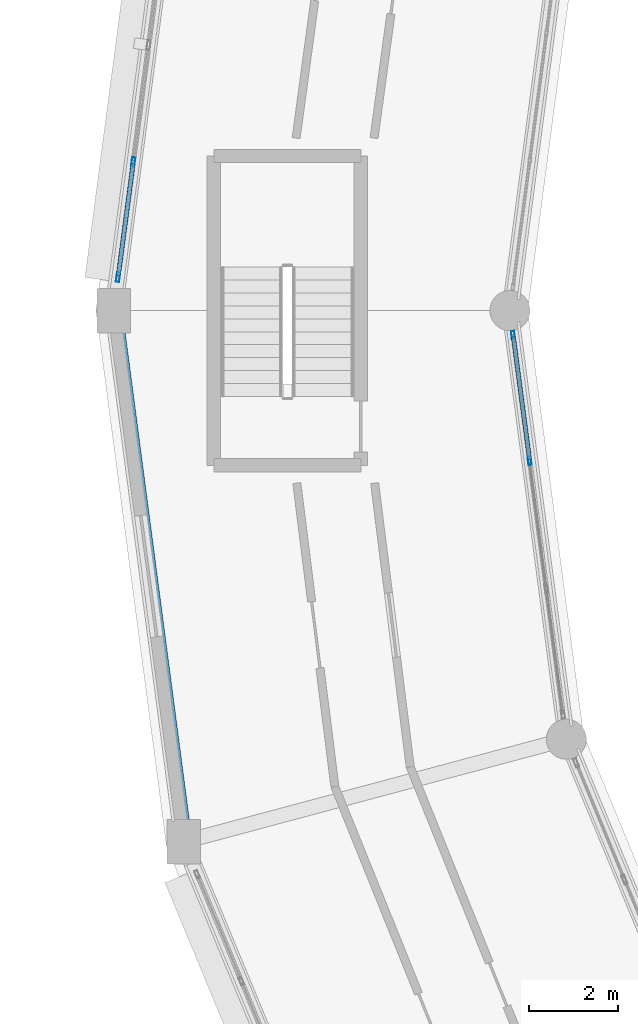
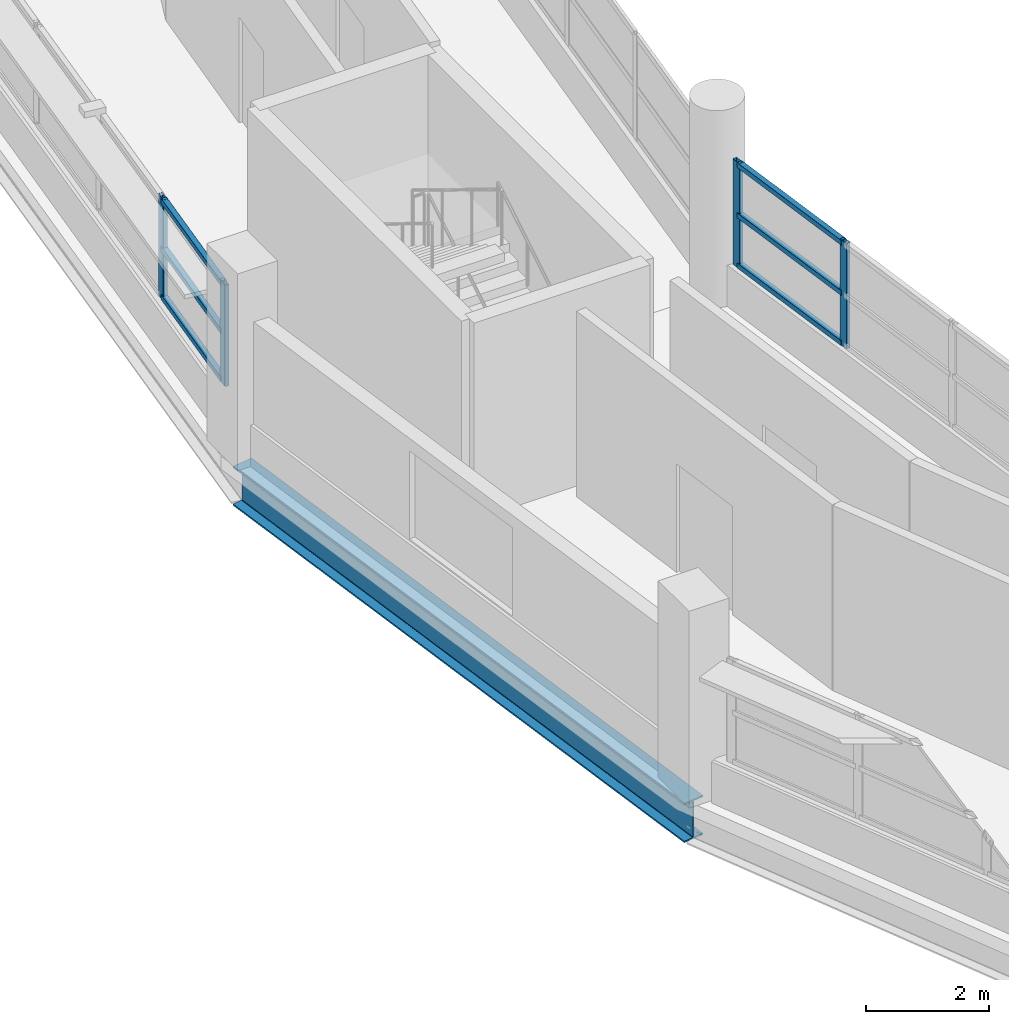
# One storey, part 12 of 53: 10 members, 1 beam, 2 elements without a shape of their own.
"""IFC4 building model written with IfcOpenShell, lengths in metres."""

from ifc_helpers import new_model, si_unit, direction, frame, origin, origin_2d, place, context, subcontext, project, spatial, hollow_rectangle, i_section, extrude, material, layer, layer_set, material_profile, profile_set, type_object, element, aggregate, save


model = new_model("IFC4")

# Units and contexts
model_context = context("Model", 3, precision=1e-05, world=origin(), true_north=direction((0.0, 1.0)))
body_context = subcontext(model_context, "Body", "Model", "MODEL_VIEW")
ifc_project = project(units=[si_unit("LENGTHUNIT", "METRE"), si_unit("AREAUNIT", "SQUARE_METRE"), si_unit("VOLUMEUNIT", "CUBIC_METRE"), si_unit("PLANEANGLEUNIT", "RADIAN"), si_unit("MASSUNIT", "GRAM", prefix="KILO")], contexts=[model_context])

# Site, building, storey
site_placement = place(None, origin())
site = spatial("IfcSite", under=ifc_project, at=site_placement, CompositionType="ELEMENT")
building_placement = place(site_placement, origin())
building = spatial("IfcBuilding", under=site, at=building_placement, Name="Vespera Passage Community Centre", CompositionType="ELEMENT")
storey_placement = place(building_placement, frame((0.0, 0.0, 20.39990234375)))
storey = spatial("IfcBuildingStorey", under=building, at=storey_placement, Name="L05", CompositionType="ELEMENT", Elevation=20.39990234375)

# Beam
ifc_material_1 = material(Name="Steel ASTM A992 Grade 50", Category="steel")
ifc_material_profile_1 = material_profile(ifc_material_1, i_section(OverallWidth=0.382080078125, OverallDepth=0.779296875, WebThickness=0.01806640625, FlangeThickness=0.030029296875, FilletRadius=0.0166015625, at=origin_2d()), Name="W30X191")
ifc_profile_set_1 = profile_set([ifc_material_profile_1], Name="Steel ASTM A992 Grade 50")
beam_type = type_object("IfcBeamType", Name="BM-SP-W30X191E", PredefinedType="SPANDREL", material=ifc_profile_set_1)
beam_placement = place(storey_placement, frame((31.89990234375, 65.5, -0.649658203125), z_axis=(0.130523782115, -0.991445178667, 0.0), x_axis=(0.991445178667, 0.130523782115, 0.0)))
element("IfcBeam", 1, at=beam_placement, inside=storey, type_object=beam_type, Name="V4 L05 Outer Spandrel 12", PredefinedType="SPANDREL", context=body_context, shape_type="SweptSolid", body=[
    extrude(i_section(OverallWidth=0.382080078125, OverallDepth=0.779296875, WebThickness=0.01806640625, FlangeThickness=0.030029296875, FilletRadius=0.0166015625, at=origin_2d()), origin(), (0.0, 0.0, 1.0), 12.03466796875),
])

# Curtain wall, members
ifc_material_2 = material(Name="Anodized aluminium 6063-T6", Category="aluminium")
ifc_layer_1 = layer(ifc_material_2, 0.159912109375)
ifc_layer_set_1 = layer_set([ifc_layer_1], Name="Anodized aluminium 6063-T6")
curtain_wall_type_1 = type_object("IfcCurtainWallType", Name="CW-64E", PredefinedType="NOTDEFINED", material=ifc_layer_set_1)
curtain_wall_1_placement = place(storey_placement, origin())
curtain_wall_1 = element("IfcCurtainWall", 2, at=curtain_wall_1_placement, inside=storey, type_object=curtain_wall_type_1, Name="V4 L05 Inner Court Curtain Wall 12", PredefinedType="NOTDEFINED")
ifc_material_3 = material(Name="Anodized aluminium 6063-T6", Category="aluminium")
ifc_material_profile_2 = material_profile(ifc_material_3, hollow_rectangle(XDim=0.074951171875, YDim=0.179931640625, WallThickness=0.0048828125, InnerFilletRadius=0.00244140625, OuterFilletRadius=0.0048828125, at=origin_2d()), Name="ALU180X75X5")
ifc_profile_set_2 = profile_set([ifc_material_profile_2], Name="Anodized aluminium 6063-T6")
member_type_1 = type_object("IfcMemberType", Name="MB-CWM-180E", PredefinedType="MULLION", material=ifc_profile_set_2)
member_1_placement = place(storey_placement, frame((40.87255859375, 64.94970703125, 0.820068359375), z_axis=(0.0, 0.0, 1.0), x_axis=(0.991445387728, 0.1305221941, 0.0)))
member_1 = element("IfcMember", 3, at=member_1_placement, type_object=member_type_1, Name="CW-64E mullion 1", PredefinedType="MULLION", context=body_context, shape_type="SweptSolid", body=[
    extrude(hollow_rectangle(XDim=0.074951171875, YDim=0.179931640625, WallThickness=0.0048828125, InnerFilletRadius=0.00244140625, OuterFilletRadius=0.0048828125, at=origin_2d()), origin(), (0.0, 0.0, 1.0), 2.08935546875),
])
member_2_placement = place(storey_placement, frame((41.2451171875, 62.11962890625, 0.820068359375), z_axis=(0.0, 0.0, 1.0), x_axis=(0.991445387728, 0.1305221941, 0.0)))
member_2 = element("IfcMember", 4, at=member_2_placement, type_object=member_type_1, Name="CW-64E mullion 2", PredefinedType="MULLION", context=body_context, shape_type="SweptSolid", body=[
    extrude(hollow_rectangle(XDim=0.074951171875, YDim=0.179931640625, WallThickness=0.0048828125, InnerFilletRadius=0.00244140625, OuterFilletRadius=0.0048828125, at=origin_2d()), origin(), (0.0, 0.0, 1.0), 2.08935546875),
])

ifc_material_4 = material(Name="Anodized aluminium 6063-T6", Category="aluminium")
ifc_layer_2 = layer(ifc_material_4, 0.159912109375)
ifc_layer_set_2 = layer_set([ifc_layer_2], Name="Anodized aluminium 6063-T6")
curtain_wall_type_2 = type_object("IfcCurtainWallType", Name="CW-63E", PredefinedType="NOTDEFINED", material=ifc_layer_set_2)
curtain_wall_2_placement = place(storey_placement, origin())
curtain_wall_2 = element("IfcCurtainWall", 5, at=curtain_wall_2_placement, inside=storey, type_object=curtain_wall_type_2, Name="V4 L05 Outer Ribbon Curtain Wall 11", PredefinedType="NOTDEFINED")
ifc_material_5 = material(Name="Anodized aluminium 6063-T6", Category="aluminium")
ifc_material_profile_3 = material_profile(ifc_material_5, hollow_rectangle(XDim=0.074951171875, YDim=0.2099609375, WallThickness=0.0048828125, InnerFilletRadius=0.00244140625, OuterFilletRadius=0.0048828125, at=origin_2d()), Name="ALU210X75X5")
ifc_profile_set_3 = profile_set([ifc_material_profile_3], Name="Anodized aluminium 6063-T6")
member_type_2 = type_object("IfcMemberType", Name="MB-CWM-210E", PredefinedType="MULLION", material=ifc_profile_set_3)
member_3_placement = place(storey_placement, frame((31.998779296875, 66.25048828125, 0.820068359375), z_axis=(0.0, 0.0, 1.0), x_axis=(-0.991445298818, 0.130522869458, 0.0)))
member_3 = element("IfcMember", 6, at=member_3_placement, type_object=member_type_2, Name="CW-63E mullion 1", PredefinedType="MULLION", context=body_context, shape_type="SweptSolid", body=[
    extrude(hollow_rectangle(XDim=0.074951171875, YDim=0.2099609375, WallThickness=0.0048828125, InnerFilletRadius=0.00244140625, OuterFilletRadius=0.0048828125, at=origin_2d()), origin(), (0.0, 0.0, 1.0), 2.005615234375),
])
member_4_placement = place(storey_placement, frame((32.339599609375, 68.839599609375, 0.820068359375), z_axis=(0.0, 0.0, 1.0), x_axis=(-0.991445298818, 0.130522869458, 0.0)))
member_4 = element("IfcMember", 7, at=member_4_placement, type_object=member_type_2, Name="CW-63E mullion 2", PredefinedType="MULLION", context=body_context, shape_type="SweptSolid", body=[
    extrude(hollow_rectangle(XDim=0.074951171875, YDim=0.2099609375, WallThickness=0.0048828125, InnerFilletRadius=0.00244140625, OuterFilletRadius=0.0048828125, at=origin_2d()), origin(), (0.0, 0.0, 1.0), 2.005615234375),
])
ifc_material_6 = material(Name="Anodized aluminium 6063-T6", Category="aluminium")
ifc_material_profile_4 = material_profile(ifc_material_6, hollow_rectangle(XDim=0.10009765625, YDim=0.10009765625, WallThickness=0.00390625, InnerFilletRadius=0.001953125, OuterFilletRadius=0.00390625, at=origin_2d()), Name="ALU100X100X4")
ifc_profile_set_4 = profile_set([ifc_material_profile_4], Name="Anodized aluminium 6063-T6")
member_type_3 = type_object("IfcMemberType", Name="MB-CWT-100E", PredefinedType="USERDEFINED", material=ifc_profile_set_4)
member_5_placement = place(storey_placement, frame((32.003662109375, 66.28759765625, 0.8701171875), z_axis=(0.130524231271, 0.991445119536, 0.0), x_axis=(-0.991445119536, 0.130524231271, 0.0)))
member_5 = element("IfcMember", 8, at=member_5_placement, type_object=member_type_3, Name="CW-63E transom 1.1", ObjectType="TRANSOM", PredefinedType="USERDEFINED", context=body_context, shape_type="SweptSolid", body=[
    extrude(hollow_rectangle(XDim=0.10009765625, YDim=0.10009765625, WallThickness=0.00390625, InnerFilletRadius=0.001953125, OuterFilletRadius=0.00390625, at=origin_2d()), origin(), (0.0, 0.0, 1.0), 2.536376953125),
])
member_6_placement = place(storey_placement, frame((32.003662109375, 66.28759765625, 1.822998046875), z_axis=(0.130524231271, 0.991445119536, 0.0), x_axis=(-0.991445119536, 0.130524231271, 0.0)))
member_6 = element("IfcMember", 9, at=member_6_placement, type_object=member_type_3, Name="CW-63E transom 1.2", ObjectType="TRANSOM", PredefinedType="USERDEFINED", context=body_context, shape_type="SweptSolid", body=[
    extrude(hollow_rectangle(XDim=0.10009765625, YDim=0.10009765625, WallThickness=0.00390625, InnerFilletRadius=0.001953125, OuterFilletRadius=0.00390625, at=origin_2d()), origin(), (0.0, 0.0, 1.0), 2.536376953125),
])
member_7_placement = place(storey_placement, frame((32.003662109375, 66.28759765625, 2.77587890625), z_axis=(0.130524231271, 0.991445119536, 0.0), x_axis=(-0.991445119536, 0.130524231271, 0.0)))
member_7 = element("IfcMember", 10, at=member_7_placement, type_object=member_type_3, Name="CW-63E transom 1.3", ObjectType="TRANSOM", PredefinedType="USERDEFINED", context=body_context, shape_type="SweptSolid", body=[
    extrude(hollow_rectangle(XDim=0.10009765625, YDim=0.10009765625, WallThickness=0.00390625, InnerFilletRadius=0.001953125, OuterFilletRadius=0.00390625, at=origin_2d()), origin(), (0.0, 0.0, 1.0), 2.536376953125),
])
aggregate(curtain_wall_2, [member_3, member_4, member_5, member_6, member_7])

# Member
member_8_placement = place(storey_placement, frame((40.87744140625, 64.912353515625, 0.8701171875), z_axis=(0.130529495678, -0.99144442646, 0.0), x_axis=(0.99144442646, 0.130529495678, 0.0)))
member_8 = element("IfcMember", 11, at=member_8_placement, type_object=member_type_3, Name="CW-64E transom 1.1", ObjectType="TRANSOM", PredefinedType="USERDEFINED", context=body_context, shape_type="SweptSolid", body=[
    extrude(hollow_rectangle(XDim=0.10009765625, YDim=0.10009765625, WallThickness=0.00390625, InnerFilletRadius=0.001953125, OuterFilletRadius=0.00390625, at=origin_2d()), origin(), (0.0, 0.0, 1.0), 2.779296875),
])

member_9_placement = place(storey_placement, frame((40.87744140625, 64.912353515625, 1.86474609375), z_axis=(0.130529495678, -0.99144442646, 0.0), x_axis=(0.99144442646, 0.130529495678, 0.0)))
member_9 = element("IfcMember", 12, at=member_9_placement, type_object=member_type_3, Name="CW-64E transom 1.2", ObjectType="TRANSOM", PredefinedType="USERDEFINED", context=body_context, shape_type="SweptSolid", body=[
    extrude(hollow_rectangle(XDim=0.10009765625, YDim=0.10009765625, WallThickness=0.00390625, InnerFilletRadius=0.001953125, OuterFilletRadius=0.00390625, at=origin_2d()), origin(), (0.0, 0.0, 1.0), 2.779296875),
])

member_10_placement = place(storey_placement, frame((40.87744140625, 64.912353515625, 2.859619140625), z_axis=(0.130529495678, -0.99144442646, 0.0), x_axis=(0.99144442646, 0.130529495678, 0.0)))
member_10 = element("IfcMember", 13, at=member_10_placement, type_object=member_type_3, Name="CW-64E transom 1.3", ObjectType="TRANSOM", PredefinedType="USERDEFINED", context=body_context, shape_type="SweptSolid", body=[
    extrude(hollow_rectangle(XDim=0.10009765625, YDim=0.10009765625, WallThickness=0.00390625, InnerFilletRadius=0.001953125, OuterFilletRadius=0.00390625, at=origin_2d()), origin(), (0.0, 0.0, 1.0), 2.779296875),
])

aggregate(curtain_wall_1, [member_1, member_2, member_8, member_9, member_10])

save(model, "model.ifc")
